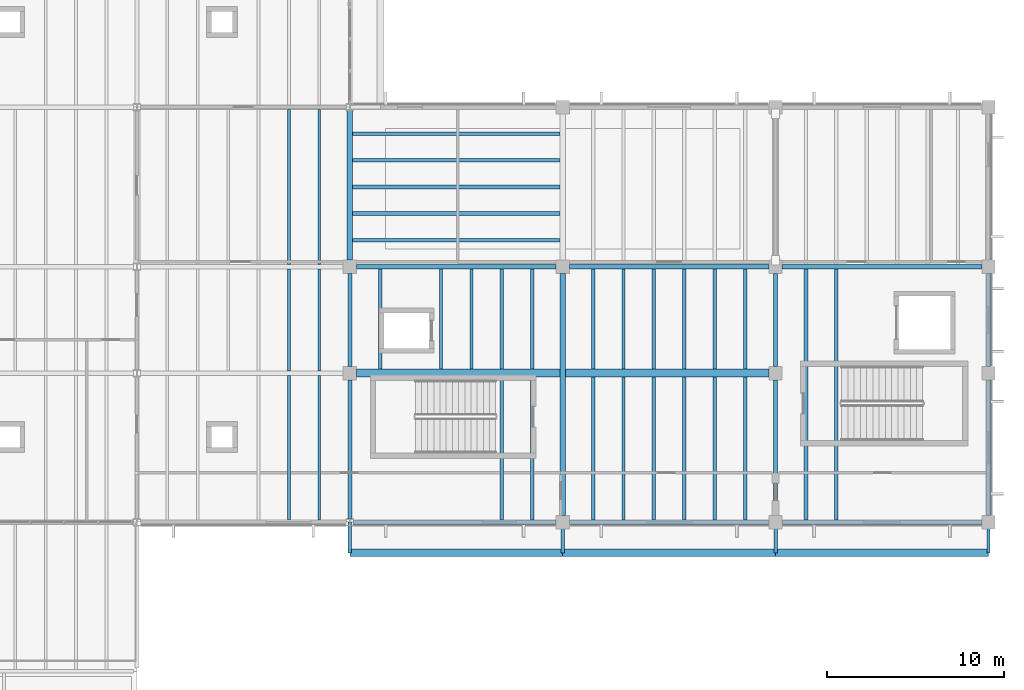
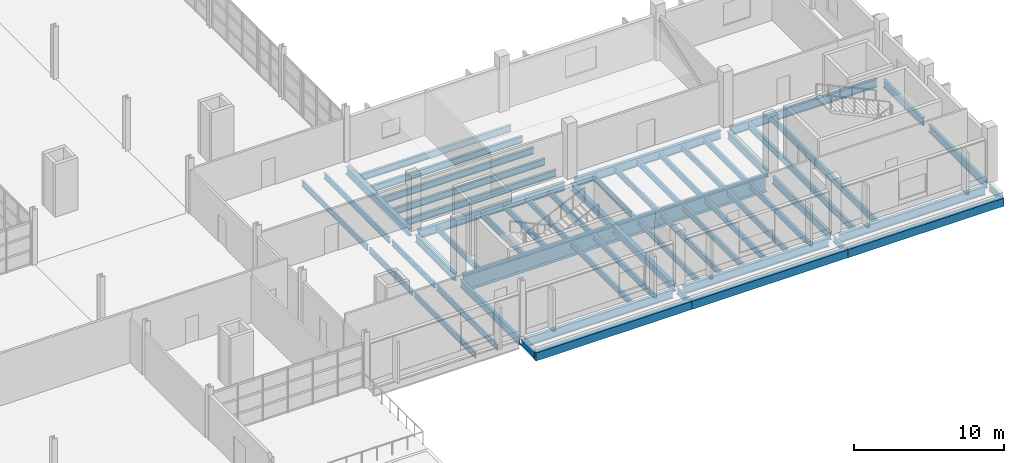
# One storey, part 68 of 114: 54 beams.
"""IFC4 building model written with IfcOpenShell, lengths in metres."""

import ifcopenshell
import ifcopenshell.guid

model = None  # the IFC model being written
_history = None  # IfcOwnerHistory: only IFC2X3 demands one
_inside = {}  # id of a spatial element -> (the spatial element, [elements in it])
_under = {}  # id of a project, library or spatial element -> (it, [spatial elements below it])
_declared = {}  # id of a project -> (the project, [libraries it declares])
_typed = {}  # id of a type object -> (the type object, [elements of that type])
_made_of = {}  # id of a material, layer set ... -> (it, [elements and type objects made of it])


def new_model(schema):
    """Start an empty IFC model of exactly this schema.

    Asked for "IFC4X3", IfcOpenShell would pick the latest addendum, in which some entities
    have other attributes; the version numbers below select the first issue.
    IFC2X3 requires an IfcOwnerHistory on every rooted entity: one is made here for all.
    """
    global model, _history
    if schema == "IFC4X3":
        model = ifcopenshell.file(schema_version=(4, 3, 0, 0))
    else:
        model = ifcopenshell.file(schema=schema)
    _inside.clear()
    _under.clear()
    _declared.clear()
    _typed.clear()
    _made_of.clear()
    _history = None
    if model.schema == "IFC2X3":
        org = make("IfcOrganization", Name="unknown")
        user = make(
            "IfcPersonAndOrganization",
            ThePerson=make("IfcPerson", FamilyName="unknown"),
            TheOrganization=org,
        )
        app = make(
            "IfcApplication",
            ApplicationDeveloper=org,
            Version="unknown",
            ApplicationFullName="unknown",
            ApplicationIdentifier="unknown",
        )
        _history = make(
            "IfcOwnerHistory",
            OwningUser=user,
            OwningApplication=app,
            ChangeAction="ADDED",
            CreationDate=0,
        )
    return model


def make(cls, **values):
    """One entity of the class cls with the attributes given. An attribute that is None is left unset."""
    return model.create_entity(
        cls, **{name: value for name, value in values.items() if value is not None}
    )


def rooted(cls, **values):
    """An entity with a GlobalId (a new one), such as an element, a storey or a relation."""
    return make(cls, GlobalId=ifcopenshell.guid.new(), OwnerHistory=_history, **values)


def si_unit(unit_type, name, prefix=None):
    """IfcSIUnit, for example si_unit("LENGTHUNIT", "METRE", prefix="MILLI")."""
    return make("IfcSIUnit", UnitType=unit_type, Prefix=prefix, Name=name)


def assignment(units):
    """IfcUnitAssignment: the units of a project."""
    return None if units is None else make("IfcUnitAssignment", Units=units)


def point(xyz):
    """IfcCartesianPoint."""
    return None if xyz is None else make("IfcCartesianPoint", Coordinates=xyz)


def direction(xyz):
    """IfcDirection."""
    return None if xyz is None else make("IfcDirection", DirectionRatios=xyz)


def frame(location, z_axis=None, x_axis=None):
    """IfcAxis2Placement3D, a coordinate frame: its origin and axes. An axis left out is left unset."""
    return make(
        "IfcAxis2Placement3D",
        Location=point(location),
        Axis=direction(z_axis),
        RefDirection=direction(x_axis),
    )


def frame_2d(location, x_axis=None):
    """IfcAxis2Placement2D, a coordinate frame in the plane: its origin and x axis."""
    return make(
        "IfcAxis2Placement2D", Location=point(location), RefDirection=direction(x_axis)
    )


def origin():
    """The frame at (0, 0, 0) with its axes left unset."""
    return frame((0.0, 0.0, 0.0))


def origin_2d():
    """The frame at (0, 0) in the plane with its x axis left unset."""
    return frame_2d((0.0, 0.0))


def place(relative_to, where):
    """IfcLocalPlacement: puts the frame where relative to a parent placement (None: the world)."""
    return make(
        "IfcLocalPlacement", PlacementRelTo=relative_to, RelativePlacement=where
    )


def context(
    kind, dimensions, precision=None, world=None, true_north=None, identifier=None
):
    """IfcGeometricRepresentationContext, for example the 3D "Model" context."""
    return make(
        "IfcGeometricRepresentationContext",
        ContextIdentifier=identifier,
        ContextType=kind,
        CoordinateSpaceDimension=dimensions,
        Precision=precision,
        WorldCoordinateSystem=world,
        TrueNorth=true_north,
    )


def subcontext(parent, identifier, kind, view, scale=None):
    """IfcGeometricRepresentationSubContext, for example "Body" below "Model"."""
    return make(
        "IfcGeometricRepresentationSubContext",
        ContextIdentifier=identifier,
        ContextType=kind,
        ParentContext=parent,
        TargetScale=scale,
        TargetView=view,
    )


def project(units=None, contexts=None):
    """IfcProject with its units and contexts."""
    return rooted(
        "IfcProject",
        Name="project",
        RepresentationContexts=contexts,
        UnitsInContext=assignment(units),
    )


def spatial(cls, under=None, at=None, **own):
    """A site, building, storey or space (cls), placed at a placement, below another one or the project."""
    s = rooted(cls, ObjectPlacement=at, **own)
    if under is not None:
        _under.setdefault(under.id(), (under, []))[1].append(s)
    return s


def profile(cls, at=None, kind="AREA", **sizes):
    """A parametric profile (cls). Its sizes go by their IFC names, for example OverallWidth=200.0."""
    return make(cls, ProfileType=kind, Position=at, **sizes)


def rectangle(**sizes):
    """IfcRectangleProfileDef."""
    return profile("IfcRectangleProfileDef", **sizes)


def i_section(**sizes):
    """IfcIShapeProfileDef."""
    return profile("IfcIShapeProfileDef", **sizes)


def extrude(swept, where, along, depth):
    """IfcExtrudedAreaSolid: the profile swept, set in the frame where, extruded along a direction by depth."""
    return make(
        "IfcExtrudedAreaSolid",
        SweptArea=swept,
        Position=where,
        ExtrudedDirection=direction(along),
        Depth=depth,
    )


def shape(context_of_items, identifier, shape_type, items):
    """IfcShapeRepresentation: the items that make up one representation, for example the "Body"."""
    return make(
        "IfcShapeRepresentation",
        ContextOfItems=context_of_items,
        RepresentationIdentifier=identifier,
        RepresentationType=shape_type,
        Items=items,
    )


def material(Name=None, Category=None):
    """IfcMaterial."""
    return make("IfcMaterial", Name=Name, Category=Category)


def material_profile(
    of_material, cross_section, Name=None, Category=None, Priority=None
):
    """IfcMaterialProfile: a cross section and its material."""
    return make(
        "IfcMaterialProfile",
        Name=Name,
        Material=of_material,
        Profile=cross_section,
        Priority=Priority,
        Category=Category,
    )


def profile_set(profiles, Name=None, composite=None):
    """IfcMaterialProfileSet."""
    return make(
        "IfcMaterialProfileSet",
        Name=Name,
        MaterialProfiles=profiles,
        CompositeProfile=composite,
    )


def made_of(thing, what):
    """Note that an element or type object is made of a material, layer set ...; save() writes the relation."""
    if what is not None:
        _made_of.setdefault(what.id(), (what, []))[1].append(thing)
    return thing


def type_object(cls, material=None, **own):
    """A type object (cls), such as IfcWallType, which elements share."""
    return made_of(rooted(cls, **own), material)


def element(
    cls,
    number,
    at=None,
    inside=None,
    cuts=None,
    type_object=None,
    material=None,
    context=None,
    identifier="Body",
    shape_type=None,
    held_by="IfcProductDefinitionShape",
    body=None,
    shapes=None,
    **own,
):
    """One element of the class cls, such as IfcWall. Its Tag is "e" and its number.

    at: its placement. inside: the storey or other place that contains it. cuts: it is an
    opening in that element (IfcRelVoidsElement). A single representation is given by context,
    identifier, shape_type and body (its items); several are given by shapes. held_by: the class
    of the entity that holds the representations. save() writes the other relations.
    """
    e = rooted(cls, Tag="e%d" % number, ObjectPlacement=at, **own)
    if body is not None:
        shapes = [shape(context, identifier, shape_type, body)]
    if shapes is not None:
        e.Representation = make(held_by, Representations=shapes)
    if inside is not None:
        _inside.setdefault(inside.id(), (inside, []))[1].append(e)
    if cuts is not None:
        rooted(
            "IfcRelVoidsElement", RelatingBuildingElement=cuts, RelatedOpeningElement=e
        )
    if type_object is not None:
        _typed.setdefault(type_object.id(), (type_object, []))[1].append(e)
    return made_of(e, material)


def aggregate(whole, parts):
    """IfcRelAggregates: a whole, such as a stair, and the parts it consists of."""
    return rooted("IfcRelAggregates", RelatingObject=whole, RelatedObjects=parts)


def save(model, path):
    """Write the relations noted so far, then the file.

    IfcRelAggregates (storeys below a building ...), IfcRelContainedInSpatialStructure (elements
    in a storey), IfcRelDefinesByType, IfcRelAssociatesMaterial and IfcRelDeclares: one each for
    every whole, place, type object, material and project.
    """
    for whole, parts in _under.values():
        aggregate(whole, parts)
    for where, things in _inside.values():
        rooted(
            "IfcRelContainedInSpatialStructure",
            RelatedElements=things,
            RelatingStructure=where,
        )
    for kind, things in _typed.values():
        rooted("IfcRelDefinesByType", RelatedObjects=things, RelatingType=kind)
    for what, things in _made_of.values():
        rooted("IfcRelAssociatesMaterial", RelatedObjects=things, RelatingMaterial=what)
    for by, libraries in _declared.values():
        rooted("IfcRelDeclares", RelatingContext=by, RelatedDefinitions=libraries)
    model.write(path)


model = new_model("IFC4")

# Units and contexts
model_context = context("Model", 3, precision=1e-05, world=origin(), true_north=direction((0.0, 1.0)))
body_context = subcontext(model_context, "Body", "Model", "MODEL_VIEW")
ifc_project = project(units=[si_unit("LENGTHUNIT", "METRE"), si_unit("AREAUNIT", "SQUARE_METRE"), si_unit("VOLUMEUNIT", "CUBIC_METRE"), si_unit("PLANEANGLEUNIT", "RADIAN"), si_unit("MASSUNIT", "GRAM", prefix="KILO")], contexts=[model_context])

# Site, building, storey
site_placement = place(None, origin())
site = spatial("IfcSite", under=ifc_project, at=site_placement, CompositionType="ELEMENT")
building_placement = place(site_placement, origin())
building = spatial("IfcBuilding", under=site, at=building_placement, Name="Kelmvaro Bay Concert Hall", CompositionType="ELEMENT")
storey_placement = place(building_placement, frame((0.0, 0.0, 4.800048828125)))
storey = spatial("IfcBuildingStorey", under=building, at=storey_placement, Name="L01", CompositionType="ELEMENT", Elevation=4.800048828125)

# Beams
ifc_material_1 = material(Name="Concrete C40/50", Category="concrete")
ifc_material_profile_1 = material_profile(ifc_material_1, rectangle(XDim=0.39990234375, YDim=0.64990234375, at=origin_2d()), Name="RC-BM-400X650")
ifc_profile_set_1 = profile_set([ifc_material_profile_1], Name="Concrete C40/50")
beam_type_1 = type_object("IfcBeamType", Name="Canopy Edge Concrete Beam RC400x650", PredefinedType="BEAM", material=ifc_profile_set_1)
for number, where, z_axis, x_axis, name in (
    (1, (132.0, 13.8798828125, -0.6650390625), (1.0, 0.0, 0.0), (0.0, 1.0, 0.0), "Storm Eave Fascia Beam V4S-05"),
    (2, (144.0, 13.8798828125, -0.6650390625), (1.0, 0.0, 0.0), (0.0, 1.0, 0.0), "Storm Eave Fascia Beam V4S-06"),
    (3, (156.0, 13.8798828125, -0.6650390625), (1.0, 0.0, 0.0), (0.0, 1.0, 0.0), "Storm Eave Fascia Beam V4S-07"),
):
    element("IfcBeam", number, at=place(storey_placement, frame(where, z_axis=z_axis, x_axis=x_axis)), inside=storey, type_object=beam_type_1, Name=name, PredefinedType="BEAM", context=body_context, shape_type="SweptSolid", body=[
        extrude(rectangle(XDim=0.39990234375, YDim=0.64990234375, at=origin_2d()), origin(), (0.0, 0.0, 1.0), 12.0),
    ])
ifc_material_2 = material(Name="Steel ASTM A992 Grade 50", Category="steel")
ifc_material_profile_2 = material_profile(ifc_material_2, i_section(OverallWidth=0.19189453125, OverallDepth=0.4619140625, WebThickness=0.010498046875, FlangeThickness=0.017578125, at=origin_2d()), Name="W18X60")
ifc_profile_set_2 = profile_set([ifc_material_profile_2], Name="Steel ASTM A992 Grade 50")
beam_type_2 = type_object("IfcBeamType", Name="Canopy Primary Frame Beam W18x60", PredefinedType="BEAM", material=ifc_profile_set_2)
for number, where, z_axis, x_axis, name in (
    (4, (132.0, 15.60009765625, -0.571044921875), (0.0, -1.0, 0.0), (1.0, 0.0, 0.0), "Storm Eave Cantilever Bracket V4S-06"),
    (5, (144.0, 15.60009765625, -0.571044921875), (0.0, -1.0, 0.0), (1.0, 0.0, 0.0), "Storm Eave Cantilever Bracket V4S-07"),
    (6, (156.0, 15.60009765625, -0.571044921875), (0.0, -1.0, 0.0), (1.0, 0.0, 0.0), "Storm Eave Cantilever Bracket V4S-08"),
    (7, (168.0, 15.60009765625, -0.571044921875), (0.0, -1.0, 0.0), (1.0, 0.0, 0.0), "Storm Eave Cantilever Bracket V4S-09"),
):
    element("IfcBeam", number, at=place(storey_placement, frame(where, z_axis=z_axis, x_axis=x_axis)), inside=storey, type_object=beam_type_2, Name=name, PredefinedType="BEAM", context=body_context, shape_type="SweptSolid", body=[
        extrude(i_section(OverallWidth=0.19189453125, OverallDepth=0.4619140625, WebThickness=0.010498046875, FlangeThickness=0.017578125, at=origin_2d()), origin(), (0.0, 0.0, 1.0), 1.72021484375),
    ])
ifc_material_3 = material(Name="Steel ASTM A992 Grade 50", Category="steel")
ifc_material_profile_3 = material_profile(ifc_material_3, i_section(OverallWidth=0.152099609375, OverallDepth=0.455078125, WebThickness=0.008056640625, FlangeThickness=0.01318359375, at=origin_2d()), Name="W18X40")
ifc_profile_set_3 = profile_set([ifc_material_profile_3], Name="Steel ASTM A992 Grade 50")
beam_type_3 = type_object("IfcBeamType", Name="Foyer Concourse Floor Joist W18x40", PredefinedType="JOIST", material=ifc_profile_set_3)
for number, where, z_axis, x_axis, name in (
    (8, (128.5712890625, 15.72802734375, -0.547607421875), (0.0, 1.0, 0.0), (-1.0, 0.0, 0.0), "L01 Floor Joist JST-L01-0315"),
    (9, (130.28564453125, 15.72802734375, -0.547607421875), (0.0, 1.0, 0.0), (-1.0, 0.0, 0.0), "L01 Floor Joist JST-L01-0316"),
):
    element("IfcBeam", number, at=place(storey_placement, frame(where, z_axis=z_axis, x_axis=x_axis)), inside=storey, type_object=beam_type_3, Name=name, PredefinedType="JOIST", context=body_context, shape_type="SweptSolid", body=[
        extrude(i_section(OverallWidth=0.152099609375, OverallDepth=0.455078125, WebThickness=0.008056640625, FlangeThickness=0.01318359375, at=origin_2d()), origin(), (0.0, 0.0, 1.0), 8.14404296875),
    ])
for number, where, z_axis, x_axis, name in (
    (10, (128.5712890625, 24.1279296875, -0.547607421875), (0.0, 1.0, 0.0), (-1.0, 0.0, 0.0), "L01 Floor Joist JST-L01-0349"),
    (11, (130.28564453125, 24.1279296875, -0.547607421875), (0.0, 1.0, 0.0), (-1.0, 0.0, 0.0), "L01 Floor Joist JST-L01-0350"),
):
    element("IfcBeam", number, at=place(storey_placement, frame(where, z_axis=z_axis, x_axis=x_axis)), inside=storey, type_object=beam_type_3, Name=name, PredefinedType="JOIST", context=body_context, shape_type="SweptSolid", body=[
        extrude(i_section(OverallWidth=0.152099609375, OverallDepth=0.455078125, WebThickness=0.008056640625, FlangeThickness=0.01318359375, at=origin_2d()), origin(), (0.0, 0.0, 1.0), 5.744140625),
    ])
for number, where, z_axis, x_axis, name in (
    (12, (128.5712890625, 30.1279296875, -0.547607421875), (0.0, 1.0, 0.0), (-1.0, 0.0, 0.0), "L01 Floor Joist JST-L01-0408"),
    (13, (130.28564453125, 30.1279296875, -0.547607421875), (0.0, 1.0, 0.0), (-1.0, 0.0, 0.0), "L01 Floor Joist JST-L01-0409"),
):
    element("IfcBeam", number, at=place(storey_placement, frame(where, z_axis=z_axis, x_axis=x_axis)), inside=storey, type_object=beam_type_3, Name=name, PredefinedType="JOIST", context=body_context, shape_type="SweptSolid", body=[
        extrude(i_section(OverallWidth=0.152099609375, OverallDepth=0.455078125, WebThickness=0.008056640625, FlangeThickness=0.01318359375, at=origin_2d()), origin(), (0.0, 0.0, 1.0), 8.744140625),
    ])
ifc_material_4 = material(Name="Steel ASTM A992 Grade 50", Category="steel")
ifc_material_profile_4 = material_profile(ifc_material_4, i_section(OverallWidth=0.323974609375, OverallDepth=0.611083984375, WebThickness=0.0126953125, FlangeThickness=0.01904296875, at=origin_2d()), Name="W24X104")
ifc_profile_set_4 = profile_set([ifc_material_profile_4], Name="Steel ASTM A992 Grade 50")
beam_type_4 = type_object("IfcBeamType", Name="Foyer Frame Girder W24x104", PredefinedType="BEAM", material=ifc_profile_set_4)
beam_1_placement = place(storey_placement, frame((132.0, 30.375, -0.62548828125), z_axis=(0.0, 1.0, 0.0), x_axis=(-1.0, 0.0, 0.0)))
element("IfcBeam", 14, at=beam_1_placement, inside=storey, type_object=beam_type_4, Name="L01 Girder BM-L01-NS-0195", PredefinedType="BEAM", context=body_context, shape_type="SweptSolid", body=[
    extrude(i_section(OverallWidth=0.323974609375, OverallDepth=0.611083984375, WebThickness=0.0126953125, FlangeThickness=0.01904296875, at=origin_2d()), origin(), (0.0, 0.0, 1.0), 8.425537109375),
])
beam_2_placement = place(storey_placement, frame((144.0, 15.97509765625, -0.62548828125), z_axis=(0.0, 1.0, 0.0), x_axis=(-1.0, 0.0, 0.0)))
element("IfcBeam", 15, at=beam_2_placement, inside=storey, type_object=beam_type_4, Name="L01 Girder BM-L01-NS-0203", PredefinedType="BEAM", context=body_context, shape_type="SweptSolid", body=[
    extrude(i_section(OverallWidth=0.323974609375, OverallDepth=0.611083984375, WebThickness=0.0126953125, FlangeThickness=0.01904296875, at=origin_2d()), origin(), (0.0, 0.0, 1.0), 13.64990234375),
])
ifc_material_5 = material(Name="Steel ASTM A992 Grade 50", Category="steel")
ifc_material_profile_5 = material_profile(ifc_material_5, i_section(OverallWidth=0.256103515625, OverallDepth=0.693115234375, WebThickness=0.014404296875, FlangeThickness=0.023681640625, at=origin_2d()), Name="W27X114")
ifc_profile_set_5 = profile_set([ifc_material_profile_5], Name="Steel ASTM A992 Grade 50")
beam_type_5 = type_object("IfcBeamType", Name="Foyer Primary Girder W27x114", PredefinedType="BEAM", material=ifc_profile_set_5)
beam_3_placement = place(storey_placement, frame((132.200439453125, 15.60009765625, -0.6865234375), z_axis=(1.0, 0.0, 0.0), x_axis=(0.0, 1.0, 0.0)))
element("IfcBeam", 16, at=beam_3_placement, inside=storey, type_object=beam_type_5, Name="L01 Girder BM-L01-EW-0025", PredefinedType="BEAM", context=body_context, shape_type="SweptSolid", body=[
    extrude(i_section(OverallWidth=0.256103515625, OverallDepth=0.693115234375, WebThickness=0.014404296875, FlangeThickness=0.023681640625, at=origin_2d()), origin(), (0.0, 0.0, 1.0), 11.424560546875),
])
for number, where, z_axis, x_axis, name in (
    (17, (144.375, 15.60009765625, -0.6865234375), (1.0, 0.0, 0.0), (0.0, 1.0, 0.0), "L01 Girder BM-L01-EW-0026"),
    (18, (156.375, 15.60009765625, -0.6865234375), (1.0, 0.0, 0.0), (0.0, 1.0, 0.0), "L01 Girder BM-L01-EW-0027"),
    (19, (132.375, 30.0, -0.66650390625), (1.0, 0.0, 0.0), (0.0, 1.0, 0.0), "L01 Girder BM-L01-EW-0042"),
    (20, (144.375, 30.0, -0.66650390625), (1.0, 0.0, 0.0), (0.0, 1.0, 0.0), "L01 Girder BM-L01-EW-0043"),
    (21, (156.375, 30.0, -0.66650390625), (1.0, 0.0, 0.0), (0.0, 1.0, 0.0), "L01 Girder BM-L01-EW-0044"),
):
    element("IfcBeam", number, at=place(storey_placement, frame(where, z_axis=z_axis, x_axis=x_axis)), inside=storey, type_object=beam_type_5, Name=name, PredefinedType="BEAM", context=body_context, shape_type="SweptSolid", body=[
        extrude(i_section(OverallWidth=0.256103515625, OverallDepth=0.693115234375, WebThickness=0.014404296875, FlangeThickness=0.023681640625, at=origin_2d()), origin(), (0.0, 0.0, 1.0), 11.25),
    ])
ifc_material_6 = material(Name="Steel ASTM A992 Grade 50", Category="steel")
ifc_material_profile_6 = material_profile(ifc_material_6, i_section(OverallWidth=0.2099609375, OverallDepth=0.535888671875, WebThickness=0.010986328125, FlangeThickness=0.017333984375, at=origin_2d()), Name="W21X68")
ifc_profile_set_6 = profile_set([ifc_material_profile_6], Name="Steel ASTM A992 Grade 50")
beam_type_6 = type_object("IfcBeamType", Name="Heavy Floor Joist W21x68", PredefinedType="JOIST", material=ifc_profile_set_6)
for number, where, z_axis, x_axis, name in (
    (22, (132.162109375, 31.5, -0.588134765625), (1.0, 0.0, 0.0), (0.0, 1.0, 0.0), "L01 Floor Joist JST-L01-EW-0673"),
    (23, (132.162109375, 33.0, -0.588134765625), (1.0, 0.0, 0.0), (0.0, 1.0, 0.0), "L01 Floor Joist JST-L01-EW-0674"),
    (24, (132.162109375, 34.5, -0.588134765625), (1.0, 0.0, 0.0), (0.0, 1.0, 0.0), "L01 Floor Joist JST-L01-EW-0675"),
    (25, (132.162109375, 36.0, -0.588134765625), (1.0, 0.0, 0.0), (0.0, 1.0, 0.0), "L01 Floor Joist JST-L01-EW-0676"),
    (26, (132.162109375, 37.5, -0.588134765625), (1.0, 0.0, 0.0), (0.0, 1.0, 0.0), "L01 Floor Joist JST-L01-EW-0677"),
):
    element("IfcBeam", number, at=place(storey_placement, frame(where, z_axis=z_axis, x_axis=x_axis)), inside=storey, type_object=beam_type_6, Name=name, PredefinedType="JOIST", context=body_context, shape_type="SweptSolid", body=[
        extrude(i_section(OverallWidth=0.2099609375, OverallDepth=0.535888671875, WebThickness=0.010986328125, FlangeThickness=0.017333984375, at=origin_2d()), origin(), (0.0, 0.0, 1.0), 11.67578125),
    ])
ifc_material_7 = material(Name="Steel ASTM A992 Grade 50", Category="steel")
ifc_material_profile_7 = material_profile(ifc_material_7, i_section(OverallWidth=0.449951171875, OverallDepth=1.300048828125, WebThickness=0.01806640625, FlangeThickness=0.031982421875, at=origin_2d()), Name="PG1300X450")
ifc_profile_set_7 = profile_set([ifc_material_profile_7], Name="Steel ASTM A992 Grade 50")
beam_type_7 = type_object("IfcBeamType", Name="Long Span Transfer Girder PG1300x450", PredefinedType="BEAM", material=ifc_profile_set_7)
beam_4_placement = place(storey_placement, frame((132.375, 24.0, -0.969970703125), z_axis=(1.0, 0.0, 0.0), x_axis=(0.0, 1.0, 0.0)))
element("IfcBeam", 27, at=beam_4_placement, inside=storey, type_object=beam_type_7, Name="L01 Girder BM-L01-EW-0032", PredefinedType="BEAM", context=body_context, shape_type="SweptSolid", body=[
    extrude(i_section(OverallWidth=0.449951171875, OverallDepth=1.300048828125, WebThickness=0.01806640625, FlangeThickness=0.031982421875, at=origin_2d()), origin(), (0.0, 0.0, 1.0), 23.25),
])
ifc_material_8 = material(Name="Steel ASTM A992 Grade 50", Category="steel")
ifc_material_profile_8 = material_profile(ifc_material_8, i_section(OverallWidth=0.2080078125, OverallDepth=0.528076171875, WebThickness=0.009521484375, FlangeThickness=0.01318359375, at=origin_2d()), Name="W21X55")
ifc_profile_set_8 = profile_set([ifc_material_profile_8], Name="Steel ASTM A992 Grade 50")
beam_type_8 = type_object("IfcBeamType", Name="Pavilion Floor Joist W21x55", PredefinedType="JOIST", material=ifc_profile_set_8)
for number, where, z_axis, x_axis, name in (
    (28, (157.71435546875, 15.72802734375, -0.583984375), (0.0, 1.0, 0.0), (-1.0, 0.0, 0.0), "L01 Floor Joist JST-L01-0325"),
    (29, (159.4287109375, 15.72802734375, -0.583984375), (0.0, 1.0, 0.0), (-1.0, 0.0, 0.0), "L01 Floor Joist JST-L01-0326"),
):
    element("IfcBeam", number, at=place(storey_placement, frame(where, z_axis=z_axis, x_axis=x_axis)), inside=storey, type_object=beam_type_8, Name=name, PredefinedType="JOIST", context=body_context, shape_type="SweptSolid", body=[
        extrude(i_section(OverallWidth=0.2080078125, OverallDepth=0.528076171875, WebThickness=0.009521484375, FlangeThickness=0.01318359375, at=origin_2d()), origin(), (0.0, 0.0, 1.0), 14.14404296875),
    ])
ifc_material_9 = material(Name="Steel ASTM A992 Grade 50", Category="steel")
ifc_material_profile_9 = material_profile(ifc_material_9, i_section(OverallWidth=0.19091796875, OverallDepth=0.45703125, WebThickness=0.009033203125, FlangeThickness=0.014404296875, at=origin_2d()), Name="W18X50")
ifc_profile_set_9 = profile_set([ifc_material_profile_9], Name="Steel ASTM A992 Grade 50")
beam_type_9 = type_object("IfcBeamType", Name="Standard Composite Floor Joist W18x50", PredefinedType="JOIST", material=ifc_profile_set_9)
for number, where, z_axis, x_axis, name in (
    (30, (140.5712890625, 15.72802734375, -0.548583984375), (0.0, 1.0, 0.0), (-1.0, 0.0, 0.0), "L01 Floor Joist JST-L01-0317"),
    (31, (142.28564453125, 15.72802734375, -0.548583984375), (0.0, 1.0, 0.0), (-1.0, 0.0, 0.0), "L01 Floor Joist JST-L01-0318"),
    (32, (145.71435546875, 15.72802734375, -0.548583984375), (0.0, 1.0, 0.0), (-1.0, 0.0, 0.0), "L01 Floor Joist JST-L01-0319"),
    (33, (147.4287109375, 15.72802734375, -0.548583984375), (0.0, 1.0, 0.0), (-1.0, 0.0, 0.0), "L01 Floor Joist JST-L01-0320"),
    (34, (149.142822265625, 15.72802734375, -0.548583984375), (0.0, 1.0, 0.0), (-1.0, 0.0, 0.0), "L01 Floor Joist JST-L01-0321"),
    (35, (150.857177734375, 15.72802734375, -0.548583984375), (0.0, 1.0, 0.0), (-1.0, 0.0, 0.0), "L01 Floor Joist JST-L01-0322"),
    (36, (152.5712890625, 15.72802734375, -0.548583984375), (0.0, 1.0, 0.0), (-1.0, 0.0, 0.0), "L01 Floor Joist JST-L01-0323"),
    (37, (154.28564453125, 15.72802734375, -0.548583984375), (0.0, 1.0, 0.0), (-1.0, 0.0, 0.0), "L01 Floor Joist JST-L01-0324"),
):
    element("IfcBeam", number, at=place(storey_placement, frame(where, z_axis=z_axis, x_axis=x_axis)), inside=storey, type_object=beam_type_9, Name=name, PredefinedType="JOIST", context=body_context, shape_type="SweptSolid", body=[
        extrude(i_section(OverallWidth=0.19091796875, OverallDepth=0.45703125, WebThickness=0.009033203125, FlangeThickness=0.014404296875, at=origin_2d()), origin(), (0.0, 0.0, 1.0), 8.046875),
    ])
for number, where, z_axis, x_axis, name in (
    (38, (133.71435546875, 24.22509765625, -0.548583984375), (0.0, 1.0, 0.0), (-1.0, 0.0, 0.0), "L01 Floor Joist JST-L01-0351"),
    (39, (137.142822265625, 24.22509765625, -0.548583984375), (0.0, 1.0, 0.0), (-1.0, 0.0, 0.0), "L01 Floor Joist JST-L01-0352"),
    (40, (138.857177734375, 24.22509765625, -0.548583984375), (0.0, 1.0, 0.0), (-1.0, 0.0, 0.0), "L01 Floor Joist JST-L01-0353"),
    (41, (140.5712890625, 24.22509765625, -0.548583984375), (0.0, 1.0, 0.0), (-1.0, 0.0, 0.0), "L01 Floor Joist JST-L01-0354"),
    (42, (142.28564453125, 24.22509765625, -0.548583984375), (0.0, 1.0, 0.0), (-1.0, 0.0, 0.0), "L01 Floor Joist JST-L01-0355"),
    (43, (145.71435546875, 24.22509765625, -0.548583984375), (0.0, 1.0, 0.0), (-1.0, 0.0, 0.0), "L01 Floor Joist JST-L01-0356"),
    (44, (147.4287109375, 24.22509765625, -0.548583984375), (0.0, 1.0, 0.0), (-1.0, 0.0, 0.0), "L01 Floor Joist JST-L01-0357"),
    (45, (149.142822265625, 24.22509765625, -0.548583984375), (0.0, 1.0, 0.0), (-1.0, 0.0, 0.0), "L01 Floor Joist JST-L01-0358"),
    (46, (150.857177734375, 24.22509765625, -0.548583984375), (0.0, 1.0, 0.0), (-1.0, 0.0, 0.0), "L01 Floor Joist JST-L01-0359"),
    (47, (152.5712890625, 24.22509765625, -0.548583984375), (0.0, 1.0, 0.0), (-1.0, 0.0, 0.0), "L01 Floor Joist JST-L01-0360"),
    (48, (154.28564453125, 24.22509765625, -0.548583984375), (0.0, 1.0, 0.0), (-1.0, 0.0, 0.0), "L01 Floor Joist JST-L01-0361"),
):
    element("IfcBeam", number, at=place(storey_placement, frame(where, z_axis=z_axis, x_axis=x_axis)), inside=storey, type_object=beam_type_9, Name=name, PredefinedType="JOIST", context=body_context, shape_type="SweptSolid", body=[
        extrude(i_section(OverallWidth=0.19091796875, OverallDepth=0.45703125, WebThickness=0.009033203125, FlangeThickness=0.014404296875, at=origin_2d()), origin(), (0.0, 0.0, 1.0), 5.64697265625),
    ])
ifc_material_10 = material(Name="Steel ASTM A992 Grade 50", Category="steel")
ifc_material_profile_10 = material_profile(ifc_material_10, i_section(OverallWidth=0.22900390625, OverallDepth=0.612060546875, WebThickness=0.011962890625, FlangeThickness=0.01953125, at=origin_2d()), Name="W24X84")
ifc_profile_set_10 = profile_set([ifc_material_profile_10], Name="Steel ASTM A992 Grade 50")
beam_type_10 = type_object("IfcBeamType", Name="Terrace Edge Girder W24x84", PredefinedType="BEAM", material=ifc_profile_set_10)
beam_5_placement = place(storey_placement, frame((132.0, 15.799560546875, -0.6259765625), z_axis=(0.0, 1.0, 0.0), x_axis=(-1.0, 0.0, 0.0)))
element("IfcBeam", 49, at=beam_5_placement, inside=storey, type_object=beam_type_10, Name="L01 Girder BM-L01-NS-0193", PredefinedType="BEAM", context=body_context, shape_type="SweptSolid", body=[
    extrude(i_section(OverallWidth=0.22900390625, OverallDepth=0.612060546875, WebThickness=0.011962890625, FlangeThickness=0.01953125, at=origin_2d()), origin(), (0.0, 0.0, 1.0), 7.825439453125),
])
beam_6_placement = place(storey_placement, frame((132.0, 24.375, -0.6259765625), z_axis=(0.0, 1.0, 0.0), x_axis=(-1.0, 0.0, 0.0)))
element("IfcBeam", 50, at=beam_6_placement, inside=storey, type_object=beam_type_10, Name="L01 Girder BM-L01-NS-0194", PredefinedType="BEAM", context=body_context, shape_type="SweptSolid", body=[
    extrude(i_section(OverallWidth=0.22900390625, OverallDepth=0.612060546875, WebThickness=0.011962890625, FlangeThickness=0.01953125, at=origin_2d()), origin(), (0.0, 0.0, 1.0), 5.25),
])
beam_7_placement = place(storey_placement, frame((156.0, 15.97509765625, -0.6259765625), z_axis=(0.0, 1.0, 0.0), x_axis=(-1.0, 0.0, 0.0)))
element("IfcBeam", 51, at=beam_7_placement, inside=storey, type_object=beam_type_10, Name="L01 Girder BM-L01-NS-0207", PredefinedType="BEAM", context=body_context, shape_type="SweptSolid", body=[
    extrude(i_section(OverallWidth=0.22900390625, OverallDepth=0.612060546875, WebThickness=0.011962890625, FlangeThickness=0.01953125, at=origin_2d()), origin(), (0.0, 0.0, 1.0), 7.64990234375),
])
beam_8_placement = place(storey_placement, frame((156.0, 24.375, -0.6259765625), z_axis=(0.0, 1.0, 0.0), x_axis=(-1.0, 0.0, 0.0)))
element("IfcBeam", 52, at=beam_8_placement, inside=storey, type_object=beam_type_10, Name="L01 Girder BM-L01-NS-0208", PredefinedType="BEAM", context=body_context, shape_type="SweptSolid", body=[
    extrude(i_section(OverallWidth=0.22900390625, OverallDepth=0.612060546875, WebThickness=0.011962890625, FlangeThickness=0.01953125, at=origin_2d()), origin(), (0.0, 0.0, 1.0), 5.25),
])
beam_9_placement = place(storey_placement, frame((168.0, 15.97509765625, -0.6259765625), z_axis=(0.0, 1.0, 0.0), x_axis=(-1.0, 0.0, 0.0)))
element("IfcBeam", 53, at=beam_9_placement, inside=storey, type_object=beam_type_10, Name="L01 Girder BM-L01-NS-0211", PredefinedType="BEAM", context=body_context, shape_type="SweptSolid", body=[
    extrude(i_section(OverallWidth=0.22900390625, OverallDepth=0.612060546875, WebThickness=0.011962890625, FlangeThickness=0.01953125, at=origin_2d()), origin(), (0.0, 0.0, 1.0), 7.64990234375),
])
beam_10_placement = place(storey_placement, frame((168.0, 24.375, -0.6259765625), z_axis=(0.0, 1.0, 0.0), x_axis=(-1.0, 0.0, 0.0)))
element("IfcBeam", 54, at=beam_10_placement, inside=storey, type_object=beam_type_10, Name="L01 Girder BM-L01-NS-0212", PredefinedType="BEAM", context=body_context, shape_type="SweptSolid", body=[
    extrude(i_section(OverallWidth=0.22900390625, OverallDepth=0.612060546875, WebThickness=0.011962890625, FlangeThickness=0.01953125, at=origin_2d()), origin(), (0.0, 0.0, 1.0), 5.25),
])

save(model, "model.ifc")
